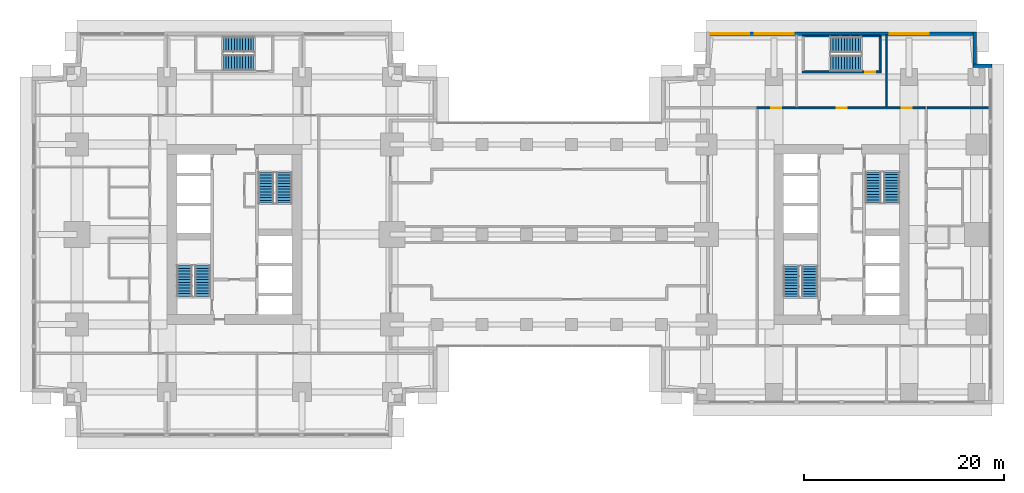
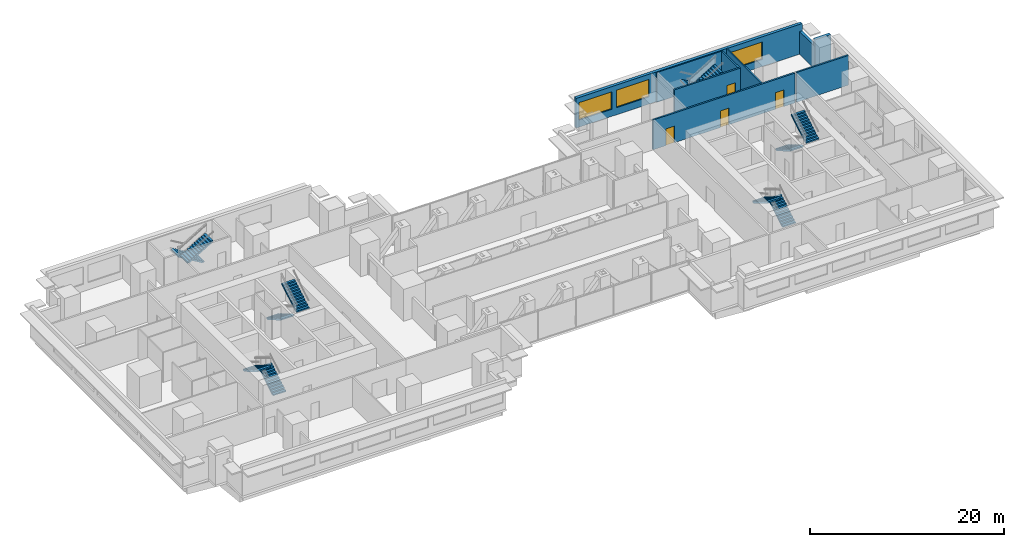
# One storey, part 12 of 15: 12 stair flights, 9 walls, 4 doors, 3 windows, 7 openings, 6 elements without a shape of their own.
"""IFC4 building model written with IfcOpenShell, lengths in metres."""

from ifc_helpers import new_model, si_unit, direction, frame, frame_2d, origin, place, context, subcontext, project, spatial, polyline, rectangle, outline, extrude, material, layer, layer_set, type_object, element, fill, aggregate, save


model = new_model("IFC4")

# Units and contexts
model_context = context("Model", 3, precision=1e-05, world=origin(), true_north=direction((0.0, 1.0)))
body_context = subcontext(model_context, "Body", "Model", "MODEL_VIEW")
ifc_project = project(units=[si_unit("LENGTHUNIT", "METRE"), si_unit("AREAUNIT", "SQUARE_METRE"), si_unit("VOLUMEUNIT", "CUBIC_METRE"), si_unit("PLANEANGLEUNIT", "RADIAN"), si_unit("MASSUNIT", "GRAM", prefix="KILO")], contexts=[model_context])

# Site, building, storey
site_placement = place(None, origin())
site = spatial("IfcSite", under=ifc_project, at=site_placement, CompositionType="ELEMENT")
building_placement = place(site_placement, origin())
building = spatial("IfcBuilding", under=site, at=building_placement, Name="Namib Vertical Campus", CompositionType="ELEMENT")
storey_placement = place(building_placement, frame((0.0, 0.0, 109.0)))
storey = spatial("IfcBuildingStorey", under=building, at=storey_placement, Name="L25", CompositionType="ELEMENT", Elevation=109.0)

# Wall, openings, doors
ifc_material_1 = material(Name="Concrete masonry", Category="masonry")
ifc_layer_1 = layer(ifc_material_1, 0.199951171875)
ifc_layer_set_1 = layer_set([ifc_layer_1], Name="Corridor wall 200")
wall_type_1 = type_object("IfcWallType", Name="Corridor wall 200", PredefinedType="SOLIDWALL", material=ifc_layer_set_1)
wall_1_placement = place(storey_placement, frame((89.35009765625, 32.89990234375, 0.0), z_axis=(0.0, 0.0, 1.0), x_axis=(-1.0, 0.0, 0.0)))
wall_1 = element("IfcWall", 1, at=wall_1_placement, inside=storey, type_object=wall_type_1, Name="Corridor wall B L25 CN", PredefinedType="SOLIDWALL", context=body_context, shape_type="SweptSolid", body=[
    extrude(rectangle(XDim=16.900146484375, YDim=0.199951171875, at=frame_2d((8.4501953125, 0.0))), origin(), (0.0, 0.0, 1.0), 3.75),
])
opening_1_placement = place(wall_1_placement, frame((14.375, 0.0, 0.0)))
opening_1 = element("IfcOpeningElement", 2, at=opening_1_placement, cuts=wall_1, Name="Opening CD1", PredefinedType="OPENING", context=body_context, shape_type="SweptSolid", body=[
    extrude(rectangle(XDim=1.0, YDim=2.10009765625, at=frame_2d((0.5, 1.050048828125))), frame((0.0, 0.10986328125, 0.0), z_axis=(0.0, -1.0, 0.0), x_axis=(1.0, 0.0, 0.0)), (0.0, 0.0, 1.0), 0.219970703125),
])
opening_2_placement = place(wall_1_placement, frame((7.85009765625, 0.0, 0.0)))
opening_2 = element("IfcOpeningElement", 3, at=opening_2_placement, cuts=wall_1, Name="Opening CD1", PredefinedType="OPENING", context=body_context, shape_type="SweptSolid", body=[
    extrude(rectangle(XDim=1.0, YDim=2.10009765625, at=frame_2d((0.5, 1.050048828125))), frame((0.0, 0.10986328125, 0.0), z_axis=(0.0, -1.0, 0.0), x_axis=(1.0, 0.0, 0.0)), (0.0, 0.0, 1.0), 0.219970703125),
])
opening_3_placement = place(wall_1_placement, frame((1.324951171875, 0.0, 0.0)))
opening_3 = element("IfcOpeningElement", 4, at=opening_3_placement, cuts=wall_1, Name="Opening CD1", PredefinedType="OPENING", context=body_context, shape_type="SweptSolid", body=[
    extrude(rectangle(XDim=1.0, YDim=2.10009765625, at=frame_2d((0.5, 1.050048828125))), frame((0.0, 0.10986328125, 0.0), z_axis=(0.0, -1.0, 0.0), x_axis=(1.0, 0.0, 0.0)), (0.0, 0.0, 1.0), 0.219970703125),
])
ifc_material_2 = material(Name="Timber fire door leaf", Category="wood")
door_type_1 = type_object("IfcDoorType", Name="Corridor door 1000x2100 20 min", OperationType="SINGLE_SWING_LEFT", PredefinedType="DOOR", material=ifc_material_2)
door_1_placement = place(opening_1_placement, frame((1.0, 0.0, 0.0), z_axis=(0.0, 0.0, 1.0), x_axis=(-1.0, 0.0, 0.0)))
door_1 = element("IfcDoor", 5, at=door_1_placement, inside=storey, type_object=door_type_1, Name="Door CD1 B25-11", OperationType="SINGLE_SWING_RIGHT", OverallHeight=2.10009765625, OverallWidth=1.0, PredefinedType="DOOR", context=body_context, shape_type="SweptSolid", body=[
    extrude(rectangle(XDim=1.0, YDim=2.10009765625, at=frame_2d((0.5, 1.050048828125))), frame((0.0, 0.02490234375, 0.0), z_axis=(0.0, -1.0, 0.0), x_axis=(1.0, 0.0, 0.0)), (0.0, 0.0, 1.0), 0.050048828125),
])
fill(opening_1, door_1)
door_2_placement = place(opening_2_placement, frame((1.0, 0.0, 0.0), z_axis=(0.0, 0.0, 1.0), x_axis=(-1.0, 0.0, 0.0)))
door_2 = element("IfcDoor", 6, at=door_2_placement, inside=storey, type_object=door_type_1, Name="Door CD1 B25-12", OperationType="SINGLE_SWING_RIGHT", OverallHeight=2.10009765625, OverallWidth=1.0, PredefinedType="DOOR", context=body_context, shape_type="SweptSolid", body=[
    extrude(rectangle(XDim=1.0, YDim=2.10009765625, at=frame_2d((0.5, 1.050048828125))), frame((0.0, 0.02490234375, 0.0), z_axis=(0.0, -1.0, 0.0), x_axis=(1.0, 0.0, 0.0)), (0.0, 0.0, 1.0), 0.050048828125),
])
fill(opening_2, door_2)
door_3_placement = place(opening_3_placement, frame((1.0, 0.0, 0.0), z_axis=(0.0, 0.0, 1.0), x_axis=(-1.0, 0.0, 0.0)))
door_3 = element("IfcDoor", 7, at=door_3_placement, inside=storey, type_object=door_type_1, Name="Door CD1 B25-13", OperationType="SINGLE_SWING_LEFT", OverallHeight=2.10009765625, OverallWidth=1.0, PredefinedType="DOOR", context=body_context, shape_type="SweptSolid", body=[
    extrude(rectangle(XDim=1.0, YDim=2.10009765625, at=frame_2d((0.5, 1.050048828125))), frame((0.0, 0.02490234375, 0.0), z_axis=(0.0, -1.0, 0.0), x_axis=(1.0, 0.0, 0.0)), (0.0, 0.0, 1.0), 0.050048828125),
])
fill(opening_3, door_3)

# Walls
wall_2_placement = place(storey_placement, frame((89.550048828125, 32.89990234375, 0.0), z_axis=(0.0, 0.0, 1.0), x_axis=(1.0, 0.0, 0.0)))
element("IfcWall", 8, at=wall_2_placement, inside=storey, type_object=wall_type_1, Name="Partition B L25 BNE", PredefinedType="SOLIDWALL", context=body_context, shape_type="SweptSolid", body=[
    extrude(rectangle(XDim=6.199951171875, YDim=0.199951171875, at=frame_2d((3.10009765625, 0.0))), origin(), (0.0, 0.0, 1.0), 3.75),
])
ifc_material_3 = material(Name="Concrete C40/50", Category="concrete")
ifc_layer_2 = layer(ifc_material_3, 0.35009765625)
ifc_layer_set_2 = layer_set([ifc_layer_2], Name="Concrete C40/50")
wall_type_2 = type_object("IfcWallType", Name="External wall 350 bush-hammered concrete", PredefinedType="STANDARD", material=ifc_layer_set_2)
wall_3_placement = place(storey_placement, frame((96.030029296875, 37.125, 0.0), z_axis=(0.0, 0.0, 1.0), x_axis=(-1.0, 0.0, 0.0)))
element("IfcWall", 9, at=wall_3_placement, inside=storey, type_object=wall_type_2, Name="External wall L25 F06", PredefinedType="STANDARD", context=body_context, shape_type="SweptSolid", body=[
    extrude(rectangle(XDim=1.860107421875, YDim=0.35009765625, at=frame_2d((0.93017578125, 0.0))), origin(), (0.0, 0.0, 1.0), 3.75),
])
wall_4_placement = place(storey_placement, frame((94.324951171875, 36.969970703125, 0.0), z_axis=(0.0, 0.0, 1.0), x_axis=(0.0, 1.0, 0.0)))
element("IfcWall", 10, at=wall_4_placement, inside=storey, type_object=wall_type_2, Name="External wall L25 F07", PredefinedType="STANDARD", context=body_context, shape_type="SweptSolid", body=[
    extrude(rectangle(XDim=3.510009765625, YDim=0.35009765625, at=frame_2d((1.7548828125, 0.0))), origin(), (0.0, 0.0, 1.0), 2.85009765625),
])

# Wall, openings, windows
wall_5_placement = place(storey_placement, frame((94.47998046875, 40.324951171875, 0.0), z_axis=(0.0, 0.0, 1.0), x_axis=(-1.0, 0.0, 0.0)))
wall_5 = element("IfcWall", 11, at=wall_5_placement, inside=storey, type_object=wall_type_2, Name="External wall L25 F08", PredefinedType="STANDARD", context=body_context, shape_type="SweptSolid", body=[
    extrude(rectangle(XDim=26.9599609375, YDim=0.35009765625, at=frame_2d((13.47998046875, 0.0))), origin(), (0.0, 0.0, 1.0), 3.75),
])
opening_4_placement = place(wall_5_placement, frame((22.7099609375, 0.0, 0.89990234375)))
opening_4 = element("IfcOpeningElement", 12, at=opening_4_placement, cuts=wall_5, Name="Opening W1", PredefinedType="OPENING", context=body_context, shape_type="SweptSolid", body=[
    extrude(rectangle(XDim=3.89990234375, YDim=2.199951171875, at=frame_2d((1.949951171875, 1.10009765625))), frame((0.0, 0.18505859375, 0.0), z_axis=(0.0, -1.0, 0.0), x_axis=(1.0, 0.0, 0.0)), (0.0, 0.0, 1.0), 0.3701171875),
])
opening_5_placement = place(wall_5_placement, frame((18.280029296875, 0.0, 0.89990234375)))
opening_5 = element("IfcOpeningElement", 13, at=opening_5_placement, cuts=wall_5, Name="Opening W1", PredefinedType="OPENING", context=body_context, shape_type="SweptSolid", body=[
    extrude(rectangle(XDim=3.89990234375, YDim=2.199951171875, at=frame_2d((1.949951171875, 1.10009765625))), frame((0.0, 0.18505859375, 0.0), z_axis=(0.0, -1.0, 0.0), x_axis=(1.0, 0.0, 0.0)), (0.0, 0.0, 1.0), 0.3701171875),
])
opening_6_placement = place(wall_5_placement, frame((4.780029296875, 0.0, 0.89990234375)))
opening_6 = element("IfcOpeningElement", 14, at=opening_6_placement, cuts=wall_5, Name="Opening W1", PredefinedType="OPENING", context=body_context, shape_type="SweptSolid", body=[
    extrude(rectangle(XDim=3.89990234375, YDim=2.199951171875, at=frame_2d((1.949951171875, 1.10009765625))), frame((0.0, 0.18505859375, 0.0), z_axis=(0.0, -1.0, 0.0), x_axis=(1.0, 0.0, 0.0)), (0.0, 0.0, 1.0), 0.3701171875),
])
ifc_material_4 = material(Name="Dark tinted glass in black aluminium frame", Category="aluminium")
window_type = type_object("IfcWindowType", Name="Ribbon window 3900x2200", PartitioningType="SINGLE_PANEL", PredefinedType="WINDOW", material=ifc_material_4)
window_1_placement = place(opening_4_placement, origin())
window_1 = element("IfcWindow", 15, at=window_1_placement, inside=storey, type_object=window_type, Name="Window W1 L25 F08-1", OverallHeight=2.199951171875, OverallWidth=3.89990234375, PartitioningType="SINGLE_PANEL", PredefinedType="WINDOW", context=body_context, shape_type="SweptSolid", body=[
    extrude(rectangle(XDim=3.89990234375, YDim=2.199951171875, at=frame_2d((1.949951171875, 1.10009765625))), frame((0.0, 0.030029296875, 0.0), z_axis=(0.0, -1.0, 0.0), x_axis=(1.0, 0.0, 0.0)), (0.0, 0.0, 1.0), 0.06005859375),
])
fill(opening_4, window_1)
window_2_placement = place(opening_5_placement, origin())
window_2 = element("IfcWindow", 16, at=window_2_placement, inside=storey, type_object=window_type, Name="Window W1 L25 F08-2", OverallHeight=2.199951171875, OverallWidth=3.89990234375, PartitioningType="SINGLE_PANEL", PredefinedType="WINDOW", context=body_context, shape_type="SweptSolid", body=[
    extrude(rectangle(XDim=3.89990234375, YDim=2.199951171875, at=frame_2d((1.949951171875, 1.10009765625))), frame((0.0, 0.030029296875, 0.0), z_axis=(0.0, -1.0, 0.0), x_axis=(1.0, 0.0, 0.0)), (0.0, 0.0, 1.0), 0.06005859375),
])
fill(opening_5, window_2)
window_3_placement = place(opening_6_placement, origin())
window_3 = element("IfcWindow", 17, at=window_3_placement, inside=storey, type_object=window_type, Name="Window W1 L25 F08-5", OverallHeight=2.199951171875, OverallWidth=3.89990234375, PartitioningType="SINGLE_PANEL", PredefinedType="WINDOW", context=body_context, shape_type="SweptSolid", body=[
    extrude(rectangle(XDim=3.89990234375, YDim=2.199951171875, at=frame_2d((1.949951171875, 1.10009765625))), frame((0.0, 0.030029296875, 0.0), z_axis=(0.0, -1.0, 0.0), x_axis=(1.0, 0.0, 0.0)), (0.0, 0.0, 1.0), 0.06005859375),
])
fill(opening_6, window_3)

# Walls
ifc_material_5 = material(Name="Gypsum board on steel studs", Category="steel")
ifc_layer_3 = layer(ifc_material_5, 0.14990234375)
ifc_layer_set_3 = layer_set([ifc_layer_3], Name="Gypsum board on steel studs")
wall_type_3 = type_object("IfcWallType", Name="Partition 150", PredefinedType="PARTITIONING", material=ifc_layer_set_3)
wall_6_placement = place(storey_placement, frame((85.5, 33.0, 0.0), z_axis=(0.0, 0.0, 1.0), x_axis=(0.0, 1.0, 0.0)))
element("IfcWall", 18, at=wall_6_placement, inside=storey, type_object=wall_type_3, Name="Partition B L25 PN2", PredefinedType="PARTITIONING", context=body_context, shape_type="SweptSolid", body=[
    extrude(rectangle(XDim=7.199951171875, YDim=0.14990234375, at=frame_2d((3.60009765625, 0.0))), origin(), (0.0, 0.0, 1.0), 3.75),
])
ifc_material_6 = material(Name="Concrete C40/50", Category="concrete")
ifc_layer_4 = layer(ifc_material_6, 0.14990234375)
ifc_layer_set_4 = layer_set([ifc_layer_4], Name="Concrete C40/50")
wall_type_4 = type_object("IfcWallType", Name="Stair enclosure wall RC 150", PredefinedType="SOLIDWALL", material=ifc_layer_set_4)
wall_7_placement = place(storey_placement, frame((77.050048828125, 40.074951171875, 0.0), z_axis=(0.0, 0.0, 1.0), x_axis=(1.0, 0.0, 0.0)))
element("IfcWall", 19, at=wall_7_placement, inside=storey, type_object=wall_type_4, Name="Stair enclosure wall B-S3 L25 N", PredefinedType="SOLIDWALL", context=body_context, shape_type="SweptSolid", body=[
    extrude(rectangle(XDim=7.89990234375, YDim=0.14990234375, at=frame_2d((3.949951171875, 0.0))), origin(), (0.0, 0.0, 1.0), 3.75),
])

# Wall, opening, door
ifc_material_7 = material(Name="Concrete C40/50", Category="concrete")
ifc_layer_5 = layer(ifc_material_7, 0.199951171875)
ifc_layer_set_5 = layer_set([ifc_layer_5], Name="Concrete C40/50")
wall_type_5 = type_object("IfcWallType", Name="Stair enclosure wall RC 200", PredefinedType="SOLIDWALL", material=ifc_layer_set_5)
wall_8_placement = place(storey_placement, frame((77.050048828125, 36.5, 0.0), z_axis=(0.0, 0.0, 1.0), x_axis=(1.0, 0.0, 0.0)))
wall_8 = element("IfcWall", 20, at=wall_8_placement, inside=storey, type_object=wall_type_5, Name="Stair enclosure wall B-S3 L25 S", PredefinedType="SOLIDWALL", context=body_context, shape_type="SweptSolid", body=[
    extrude(rectangle(XDim=7.89990234375, YDim=0.199951171875, at=frame_2d((3.949951171875, 0.0))), origin(), (0.0, 0.0, 1.0), 3.75),
])
opening_7_placement = place(wall_8_placement, frame((6.300048828125, 0.0, 0.0)))
opening_7 = element("IfcOpeningElement", 21, at=opening_7_placement, cuts=wall_8, Name="Opening FD1", PredefinedType="OPENING", context=body_context, shape_type="SweptSolid", body=[
    extrude(rectangle(XDim=1.0, YDim=2.10009765625, at=frame_2d((0.5, 1.050048828125))), frame((0.0, 0.10986328125, 0.0), z_axis=(0.0, -1.0, 0.0), x_axis=(1.0, 0.0, 0.0)), (0.0, 0.0, 1.0), 0.219970703125),
])
ifc_material_8 = material(Name="Steel fire door", Category="steel")
door_type_2 = type_object("IfcDoorType", Name="Fire door 1000x2100", OperationType="SINGLE_SWING_RIGHT", PredefinedType="DOOR", material=ifc_material_8)
door_4_placement = place(opening_7_placement, origin())
door_4 = element("IfcDoor", 22, at=door_4_placement, inside=storey, type_object=door_type_2, Name="Stair door FD1 B L25 S3", OperationType="SINGLE_SWING_RIGHT", OverallHeight=2.10009765625, OverallWidth=1.0, PredefinedType="DOOR", context=body_context, shape_type="SweptSolid", body=[
    extrude(rectangle(XDim=1.0, YDim=2.10009765625, at=frame_2d((0.5, 1.050048828125))), frame((0.0, 0.02490234375, 0.0), z_axis=(0.0, -1.0, 0.0), x_axis=(1.0, 0.0, 0.0)), (0.0, 0.0, 1.0), 0.050048828125),
])
fill(opening_7, door_4)

# Wall
wall_9_placement = place(storey_placement, frame((84.85009765625, 36.60009765625, 0.0), z_axis=(0.0, 0.0, 1.0), x_axis=(0.0, 1.0, 0.0)))
element("IfcWall", 23, at=wall_9_placement, inside=storey, type_object=wall_type_5, Name="Stair enclosure wall B-S3 L25 E", PredefinedType="SOLIDWALL", context=body_context, shape_type="SweptSolid", body=[
    extrude(rectangle(XDim=3.39990234375, YDim=0.199951171875, at=frame_2d((1.699951171875, 0.0))), origin(), (0.0, 0.0, 1.0), 3.75),
])

# Stair, stair flights
ifc_material_9 = material(Name="Concrete C40/50 precast", Category="concrete")
stair_type_1 = type_object("IfcStairType", Name="Exit stair 4000 rise 24 risers 3350 wide", PredefinedType="HALF_TURN_STAIR", material=ifc_material_9)
stair_1_placement = place(storey_placement, origin())
stair_1 = element("IfcStair", 24, at=stair_1_placement, inside=storey, type_object=stair_type_1, Name="Exit stair A-S1 L25", PredefinedType="HALF_TURN_STAIR")
ifc_material_10 = material(Name="Concrete C40/50 precast", Category="concrete")
stair_flight_type_1 = type_object("IfcStairFlightType", Name="Stair flight 12 risers 167 1525 wide", PredefinedType="STRAIGHT", material=ifc_material_10)
stair_flight_1_placement = place(storey_placement, frame((17.08740234375, 14.050048828125, 0.0), z_axis=(0.0, 0.0, 1.0), x_axis=(0.0, 1.0, 0.0)))
stair_flight_1 = element("IfcStairFlight", 25, at=stair_flight_1_placement, type_object=stair_flight_type_1, Name="A-S1 flight 1", NumberOfRisers=12, NumberOfTreads=11, PredefinedType="STRAIGHT", RiserHeight=0.166666667, TreadLength=0.28, context=body_context, shape_type="SweptSolid", body=[
    extrude(outline(polyline([(0.0, 0.0), (0.0, 0.166748046875), (0.280029296875, 0.166748046875), (0.280029296875, 0.333251953125), (0.56005859375, 0.333251953125), (0.56005859375, 0.5), (0.840087890625, 0.5), (0.840087890625, 0.666748046875), (1.1201171875, 0.666748046875), (1.1201171875, 0.833251953125), (1.39990234375, 0.833251953125), (1.39990234375, 1.0), (1.679931640625, 1.0), (1.679931640625, 1.166748046875), (1.9599609375, 1.166748046875), (1.9599609375, 1.333251953125), (2.239990234375, 1.333251953125), (2.239990234375, 1.5), (2.52001953125, 1.5), (2.52001953125, 1.666748046875), (2.800048828125, 1.666748046875), (2.800048828125, 1.833251953125), (3.080078125, 1.833251953125), (3.080078125, 2.0), (3.080078125, 1.658935546875), (0.29296875, 0.0), (0.0, 0.0)])), frame((0.0, 0.762451171875, 0.0), z_axis=(0.0, -1.0, 0.0), x_axis=(1.0, 0.0, 0.0)), (0.0, 0.0, 1.0), 1.52490234375),
])
stair_flight_2_placement = place(storey_placement, frame((15.262451171875, 17.1298828125, 2.0), z_axis=(0.0, 0.0, 1.0), x_axis=(0.0, -1.0, 0.0)))
stair_flight_2 = element("IfcStairFlight", 26, at=stair_flight_2_placement, type_object=stair_flight_type_1, Name="A-S1 flight 2", NumberOfRisers=12, NumberOfTreads=11, PredefinedType="STRAIGHT", RiserHeight=0.166666667, TreadLength=0.28, context=body_context, shape_type="SweptSolid", body=[
    extrude(outline(polyline([(0.0, 0.0), (0.0, 0.166748046875), (0.280029296875, 0.166748046875), (0.280029296875, 0.333251953125), (0.56005859375, 0.333251953125), (0.56005859375, 0.5), (0.840087890625, 0.5), (0.840087890625, 0.666748046875), (1.1201171875, 0.666748046875), (1.1201171875, 0.833251953125), (1.39990234375, 0.833251953125), (1.39990234375, 1.0), (1.679931640625, 1.0), (1.679931640625, 1.166748046875), (1.9599609375, 1.166748046875), (1.9599609375, 1.333251953125), (2.239990234375, 1.333251953125), (2.239990234375, 1.5), (2.52001953125, 1.5), (2.52001953125, 1.666748046875), (2.800048828125, 1.666748046875), (2.800048828125, 1.833251953125), (3.080078125, 1.833251953125), (3.080078125, 2.0), (3.080078125, 1.658935546875), (0.29296875, 0.0), (0.0, 0.0)])), frame((0.0, 0.762451171875, 0.0), z_axis=(0.0, -1.0, 0.0), x_axis=(1.0, 0.0, 0.0)), (0.0, 0.0, 1.0), 1.52490234375),
])
aggregate(stair_1, [stair_flight_1, stair_flight_2])

stair_2_placement = place(storey_placement, origin())
stair_2 = element("IfcStair", 27, at=stair_2_placement, inside=storey, type_object=stair_type_1, Name="Exit stair A-S2 L25", PredefinedType="HALF_TURN_STAIR")
stair_flight_3_placement = place(storey_placement, frame((23.41259765625, 26.449951171875, 0.0), z_axis=(0.0, 0.0, 1.0), x_axis=(0.0, -1.0, 0.0)))
stair_flight_3 = element("IfcStairFlight", 28, at=stair_flight_3_placement, type_object=stair_flight_type_1, Name="A-S2 flight 1", NumberOfRisers=12, NumberOfTreads=11, PredefinedType="STRAIGHT", RiserHeight=0.166666667, TreadLength=0.28, context=body_context, shape_type="SweptSolid", body=[
    extrude(outline(polyline([(0.0, 0.0), (0.0, 0.166748046875), (0.280029296875, 0.166748046875), (0.280029296875, 0.333251953125), (0.56005859375, 0.333251953125), (0.56005859375, 0.5), (0.840087890625, 0.5), (0.840087890625, 0.666748046875), (1.1201171875, 0.666748046875), (1.1201171875, 0.833251953125), (1.39990234375, 0.833251953125), (1.39990234375, 1.0), (1.679931640625, 1.0), (1.679931640625, 1.166748046875), (1.9599609375, 1.166748046875), (1.9599609375, 1.333251953125), (2.239990234375, 1.333251953125), (2.239990234375, 1.5), (2.52001953125, 1.5), (2.52001953125, 1.666748046875), (2.800048828125, 1.666748046875), (2.800048828125, 1.833251953125), (3.080078125, 1.833251953125), (3.080078125, 2.0), (3.080078125, 1.658935546875), (0.29296875, 0.0), (0.0, 0.0)])), frame((0.0, 0.762451171875, 0.0), z_axis=(0.0, -1.0, 0.0), x_axis=(1.0, 0.0, 0.0)), (0.0, 0.0, 1.0), 1.52490234375),
])
stair_flight_4_placement = place(storey_placement, frame((25.237548828125, 23.3701171875, 2.0), z_axis=(0.0, 0.0, 1.0), x_axis=(0.0, 1.0, 0.0)))
stair_flight_4 = element("IfcStairFlight", 29, at=stair_flight_4_placement, type_object=stair_flight_type_1, Name="A-S2 flight 2", NumberOfRisers=12, NumberOfTreads=11, PredefinedType="STRAIGHT", RiserHeight=0.166666667, TreadLength=0.28, context=body_context, shape_type="SweptSolid", body=[
    extrude(outline(polyline([(0.0, 0.0), (0.0, 0.166748046875), (0.280029296875, 0.166748046875), (0.280029296875, 0.333251953125), (0.56005859375, 0.333251953125), (0.56005859375, 0.5), (0.840087890625, 0.5), (0.840087890625, 0.666748046875), (1.1201171875, 0.666748046875), (1.1201171875, 0.833251953125), (1.39990234375, 0.833251953125), (1.39990234375, 1.0), (1.679931640625, 1.0), (1.679931640625, 1.166748046875), (1.9599609375, 1.166748046875), (1.9599609375, 1.333251953125), (2.239990234375, 1.333251953125), (2.239990234375, 1.5), (2.52001953125, 1.5), (2.52001953125, 1.666748046875), (2.800048828125, 1.666748046875), (2.800048828125, 1.833251953125), (3.080078125, 1.833251953125), (3.080078125, 2.0), (3.080078125, 1.658935546875), (0.29296875, 0.0), (0.0, 0.0)])), frame((0.0, 0.762451171875, 0.0), z_axis=(0.0, -1.0, 0.0), x_axis=(1.0, 0.0, 0.0)), (0.0, 0.0, 1.0), 1.52490234375),
])
aggregate(stair_2, [stair_flight_3, stair_flight_4])

stair_3_placement = place(storey_placement, origin())
stair_3 = element("IfcStair", 30, at=stair_3_placement, inside=storey, type_object=stair_type_1, Name="Exit stair A-S3 L25", PredefinedType="HALF_TURN_STAIR")
stair_flight_5_placement = place(storey_placement, frame((22.199951171875, 39.237548828125, 0.0), z_axis=(0.0, 0.0, 1.0), x_axis=(-1.0, 0.0, 0.0)))
stair_flight_5 = element("IfcStairFlight", 31, at=stair_flight_5_placement, type_object=stair_flight_type_1, Name="A-S3 flight 1", NumberOfRisers=12, NumberOfTreads=11, PredefinedType="STRAIGHT", RiserHeight=0.166666667, TreadLength=0.28, context=body_context, shape_type="SweptSolid", body=[
    extrude(outline(polyline([(0.0, 0.0), (0.0, 0.166748046875), (0.280029296875, 0.166748046875), (0.280029296875, 0.333251953125), (0.56005859375, 0.333251953125), (0.56005859375, 0.5), (0.840087890625, 0.5), (0.840087890625, 0.666748046875), (1.1201171875, 0.666748046875), (1.1201171875, 0.833251953125), (1.39990234375, 0.833251953125), (1.39990234375, 1.0), (1.679931640625, 1.0), (1.679931640625, 1.166748046875), (1.9599609375, 1.166748046875), (1.9599609375, 1.333251953125), (2.239990234375, 1.333251953125), (2.239990234375, 1.5), (2.52001953125, 1.5), (2.52001953125, 1.666748046875), (2.800048828125, 1.666748046875), (2.800048828125, 1.833251953125), (3.080078125, 1.833251953125), (3.080078125, 2.0), (3.080078125, 1.658935546875), (0.29296875, 0.0), (0.0, 0.0)])), frame((0.0, 0.762451171875, 0.0), z_axis=(0.0, -1.0, 0.0), x_axis=(1.0, 0.0, 0.0)), (0.0, 0.0, 1.0), 1.52490234375),
])
stair_flight_6_placement = place(storey_placement, frame((19.1201171875, 37.41259765625, 2.0), z_axis=(0.0, 0.0, 1.0), x_axis=(1.0, 0.0, 0.0)))
stair_flight_6 = element("IfcStairFlight", 32, at=stair_flight_6_placement, type_object=stair_flight_type_1, Name="A-S3 flight 2", NumberOfRisers=12, NumberOfTreads=11, PredefinedType="STRAIGHT", RiserHeight=0.166666667, TreadLength=0.28, context=body_context, shape_type="SweptSolid", body=[
    extrude(outline(polyline([(0.0, 0.0), (0.0, 0.166748046875), (0.280029296875, 0.166748046875), (0.280029296875, 0.333251953125), (0.56005859375, 0.333251953125), (0.56005859375, 0.5), (0.840087890625, 0.5), (0.840087890625, 0.666748046875), (1.1201171875, 0.666748046875), (1.1201171875, 0.833251953125), (1.39990234375, 0.833251953125), (1.39990234375, 1.0), (1.679931640625, 1.0), (1.679931640625, 1.166748046875), (1.9599609375, 1.166748046875), (1.9599609375, 1.333251953125), (2.239990234375, 1.333251953125), (2.239990234375, 1.5), (2.52001953125, 1.5), (2.52001953125, 1.666748046875), (2.800048828125, 1.666748046875), (2.800048828125, 1.833251953125), (3.080078125, 1.833251953125), (3.080078125, 2.0), (3.080078125, 1.658935546875), (0.29296875, 0.0), (0.0, 0.0)])), frame((0.0, 0.762451171875, 0.0), z_axis=(0.0, -1.0, 0.0), x_axis=(1.0, 0.0, 0.0)), (0.0, 0.0, 1.0), 1.52490234375),
])
aggregate(stair_3, [stair_flight_5, stair_flight_6])

ifc_material_11 = material(Name="Concrete C40/50 precast", Category="concrete")
stair_type_2 = type_object("IfcStairType", Name="Exit stair 4000 rise 24 risers 3400 wide", PredefinedType="HALF_TURN_STAIR", material=ifc_material_11)
stair_4_placement = place(storey_placement, origin())
stair_4 = element("IfcStair", 33, at=stair_4_placement, inside=storey, type_object=stair_type_2, Name="Exit stair B-S1 L25", PredefinedType="HALF_TURN_STAIR")
ifc_material_12 = material(Name="Concrete C40/50 precast", Category="concrete")
stair_flight_type_2 = type_object("IfcStairFlightType", Name="Stair flight 12 risers 167 1550 wide", PredefinedType="STRAIGHT", material=ifc_material_12)
stair_flight_7_placement = place(storey_placement, frame((77.824951171875, 14.0, 0.0), z_axis=(0.0, 0.0, 1.0), x_axis=(0.0, 1.0, 0.0)))
stair_flight_7 = element("IfcStairFlight", 34, at=stair_flight_7_placement, type_object=stair_flight_type_2, Name="B-S1 flight 1", NumberOfRisers=12, NumberOfTreads=11, PredefinedType="STRAIGHT", RiserHeight=0.166666667, TreadLength=0.28, context=body_context, shape_type="SweptSolid", body=[
    extrude(outline(polyline([(0.0, 0.0), (0.0, 0.166748046875), (0.280029296875, 0.166748046875), (0.280029296875, 0.333251953125), (0.56005859375, 0.333251953125), (0.56005859375, 0.5), (0.840087890625, 0.5), (0.840087890625, 0.666748046875), (1.1201171875, 0.666748046875), (1.1201171875, 0.833251953125), (1.39990234375, 0.833251953125), (1.39990234375, 1.0), (1.679931640625, 1.0), (1.679931640625, 1.166748046875), (1.9599609375, 1.166748046875), (1.9599609375, 1.333251953125), (2.239990234375, 1.333251953125), (2.239990234375, 1.5), (2.52001953125, 1.5), (2.52001953125, 1.666748046875), (2.800048828125, 1.666748046875), (2.800048828125, 1.833251953125), (3.080078125, 1.833251953125), (3.080078125, 2.0), (3.080078125, 1.658935546875), (0.29296875, 0.0), (0.0, 0.0)])), frame((0.0, 0.77490234375, 0.0), z_axis=(0.0, -1.0, 0.0), x_axis=(1.0, 0.0, 0.0)), (0.0, 0.0, 1.0), 1.550048828125),
])
stair_flight_8_placement = place(storey_placement, frame((75.97509765625, 17.080078125, 2.0), z_axis=(0.0, 0.0, 1.0), x_axis=(0.0, -1.0, 0.0)))
stair_flight_8 = element("IfcStairFlight", 35, at=stair_flight_8_placement, type_object=stair_flight_type_2, Name="B-S1 flight 2", NumberOfRisers=12, NumberOfTreads=11, PredefinedType="STRAIGHT", RiserHeight=0.166666667, TreadLength=0.28, context=body_context, shape_type="SweptSolid", body=[
    extrude(outline(polyline([(0.0, 0.0), (0.0, 0.166748046875), (0.280029296875, 0.166748046875), (0.280029296875, 0.333251953125), (0.56005859375, 0.333251953125), (0.56005859375, 0.5), (0.840087890625, 0.5), (0.840087890625, 0.666748046875), (1.1201171875, 0.666748046875), (1.1201171875, 0.833251953125), (1.39990234375, 0.833251953125), (1.39990234375, 1.0), (1.679931640625, 1.0), (1.679931640625, 1.166748046875), (1.9599609375, 1.166748046875), (1.9599609375, 1.333251953125), (2.239990234375, 1.333251953125), (2.239990234375, 1.5), (2.52001953125, 1.5), (2.52001953125, 1.666748046875), (2.800048828125, 1.666748046875), (2.800048828125, 1.833251953125), (3.080078125, 1.833251953125), (3.080078125, 2.0), (3.080078125, 1.658935546875), (0.29296875, 0.0), (0.0, 0.0)])), frame((0.0, 0.77490234375, 0.0), z_axis=(0.0, -1.0, 0.0), x_axis=(1.0, 0.0, 0.0)), (0.0, 0.0, 1.0), 1.550048828125),
])
aggregate(stair_4, [stair_flight_7, stair_flight_8])

stair_5_placement = place(storey_placement, origin())
stair_5 = element("IfcStair", 36, at=stair_5_placement, inside=storey, type_object=stair_type_2, Name="Exit stair B-S2 L25", PredefinedType="HALF_TURN_STAIR")
stair_flight_9_placement = place(storey_placement, frame((84.175048828125, 26.5, 0.0), z_axis=(0.0, 0.0, 1.0), x_axis=(0.0, -1.0, 0.0)))
stair_flight_9 = element("IfcStairFlight", 37, at=stair_flight_9_placement, type_object=stair_flight_type_2, Name="B-S2 flight 1", NumberOfRisers=12, NumberOfTreads=11, PredefinedType="STRAIGHT", RiserHeight=0.166666667, TreadLength=0.28, context=body_context, shape_type="SweptSolid", body=[
    extrude(outline(polyline([(0.0, 0.0), (0.0, 0.166748046875), (0.280029296875, 0.166748046875), (0.280029296875, 0.333251953125), (0.56005859375, 0.333251953125), (0.56005859375, 0.5), (0.840087890625, 0.5), (0.840087890625, 0.666748046875), (1.1201171875, 0.666748046875), (1.1201171875, 0.833251953125), (1.39990234375, 0.833251953125), (1.39990234375, 1.0), (1.679931640625, 1.0), (1.679931640625, 1.166748046875), (1.9599609375, 1.166748046875), (1.9599609375, 1.333251953125), (2.239990234375, 1.333251953125), (2.239990234375, 1.5), (2.52001953125, 1.5), (2.52001953125, 1.666748046875), (2.800048828125, 1.666748046875), (2.800048828125, 1.833251953125), (3.080078125, 1.833251953125), (3.080078125, 2.0), (3.080078125, 1.658935546875), (0.29296875, 0.0), (0.0, 0.0)])), frame((0.0, 0.77490234375, 0.0), z_axis=(0.0, -1.0, 0.0), x_axis=(1.0, 0.0, 0.0)), (0.0, 0.0, 1.0), 1.550048828125),
])
stair_flight_10_placement = place(storey_placement, frame((86.02490234375, 23.419921875, 2.0), z_axis=(0.0, 0.0, 1.0), x_axis=(0.0, 1.0, 0.0)))
stair_flight_10 = element("IfcStairFlight", 38, at=stair_flight_10_placement, type_object=stair_flight_type_2, Name="B-S2 flight 2", NumberOfRisers=12, NumberOfTreads=11, PredefinedType="STRAIGHT", RiserHeight=0.166666667, TreadLength=0.28, context=body_context, shape_type="SweptSolid", body=[
    extrude(outline(polyline([(0.0, 0.0), (0.0, 0.166748046875), (0.280029296875, 0.166748046875), (0.280029296875, 0.333251953125), (0.56005859375, 0.333251953125), (0.56005859375, 0.5), (0.840087890625, 0.5), (0.840087890625, 0.666748046875), (1.1201171875, 0.666748046875), (1.1201171875, 0.833251953125), (1.39990234375, 0.833251953125), (1.39990234375, 1.0), (1.679931640625, 1.0), (1.679931640625, 1.166748046875), (1.9599609375, 1.166748046875), (1.9599609375, 1.333251953125), (2.239990234375, 1.333251953125), (2.239990234375, 1.5), (2.52001953125, 1.5), (2.52001953125, 1.666748046875), (2.800048828125, 1.666748046875), (2.800048828125, 1.833251953125), (3.080078125, 1.833251953125), (3.080078125, 2.0), (3.080078125, 1.658935546875), (0.29296875, 0.0), (0.0, 0.0)])), frame((0.0, 0.77490234375, 0.0), z_axis=(0.0, -1.0, 0.0), x_axis=(1.0, 0.0, 0.0)), (0.0, 0.0, 1.0), 1.550048828125),
])
aggregate(stair_5, [stair_flight_9, stair_flight_10])

stair_6_placement = place(storey_placement, origin())
stair_6 = element("IfcStair", 39, at=stair_6_placement, inside=storey, type_object=stair_type_2, Name="Exit stair B-S3 L25", PredefinedType="HALF_TURN_STAIR")
stair_flight_11_placement = place(storey_placement, frame((82.949951171875, 39.22509765625, 0.0), z_axis=(0.0, 0.0, 1.0), x_axis=(-1.0, 0.0, 0.0)))
stair_flight_11 = element("IfcStairFlight", 40, at=stair_flight_11_placement, type_object=stair_flight_type_2, Name="B-S3 flight 1", NumberOfRisers=12, NumberOfTreads=11, PredefinedType="STRAIGHT", RiserHeight=0.166666667, TreadLength=0.28, context=body_context, shape_type="SweptSolid", body=[
    extrude(outline(polyline([(0.0, 0.0), (0.0, 0.166748046875), (0.280029296875, 0.166748046875), (0.280029296875, 0.333251953125), (0.56005859375, 0.333251953125), (0.56005859375, 0.5), (0.840087890625, 0.5), (0.840087890625, 0.666748046875), (1.1201171875, 0.666748046875), (1.1201171875, 0.833251953125), (1.39990234375, 0.833251953125), (1.39990234375, 1.0), (1.679931640625, 1.0), (1.679931640625, 1.166748046875), (1.9599609375, 1.166748046875), (1.9599609375, 1.333251953125), (2.239990234375, 1.333251953125), (2.239990234375, 1.5), (2.52001953125, 1.5), (2.52001953125, 1.666748046875), (2.800048828125, 1.666748046875), (2.800048828125, 1.833251953125), (3.080078125, 1.833251953125), (3.080078125, 2.0), (3.080078125, 1.658935546875), (0.29296875, 0.0), (0.0, 0.0)])), frame((0.0, 0.77490234375, 0.0), z_axis=(0.0, -1.0, 0.0), x_axis=(1.0, 0.0, 0.0)), (0.0, 0.0, 1.0), 1.550048828125),
])
stair_flight_12_placement = place(storey_placement, frame((79.8701171875, 37.375, 2.0), z_axis=(0.0, 0.0, 1.0), x_axis=(1.0, 0.0, 0.0)))
stair_flight_12 = element("IfcStairFlight", 41, at=stair_flight_12_placement, type_object=stair_flight_type_2, Name="B-S3 flight 2", NumberOfRisers=12, NumberOfTreads=11, PredefinedType="STRAIGHT", RiserHeight=0.166666667, TreadLength=0.28, context=body_context, shape_type="SweptSolid", body=[
    extrude(outline(polyline([(0.0, 0.0), (0.0, 0.166748046875), (0.280029296875, 0.166748046875), (0.280029296875, 0.333251953125), (0.56005859375, 0.333251953125), (0.56005859375, 0.5), (0.840087890625, 0.5), (0.840087890625, 0.666748046875), (1.1201171875, 0.666748046875), (1.1201171875, 0.833251953125), (1.39990234375, 0.833251953125), (1.39990234375, 1.0), (1.679931640625, 1.0), (1.679931640625, 1.166748046875), (1.9599609375, 1.166748046875), (1.9599609375, 1.333251953125), (2.239990234375, 1.333251953125), (2.239990234375, 1.5), (2.52001953125, 1.5), (2.52001953125, 1.666748046875), (2.800048828125, 1.666748046875), (2.800048828125, 1.833251953125), (3.080078125, 1.833251953125), (3.080078125, 2.0), (3.080078125, 1.658935546875), (0.29296875, 0.0), (0.0, 0.0)])), frame((0.0, 0.77490234375, 0.0), z_axis=(0.0, -1.0, 0.0), x_axis=(1.0, 0.0, 0.0)), (0.0, 0.0, 1.0), 1.550048828125),
])
aggregate(stair_6, [stair_flight_11, stair_flight_12])

save(model, "model.ifc")
